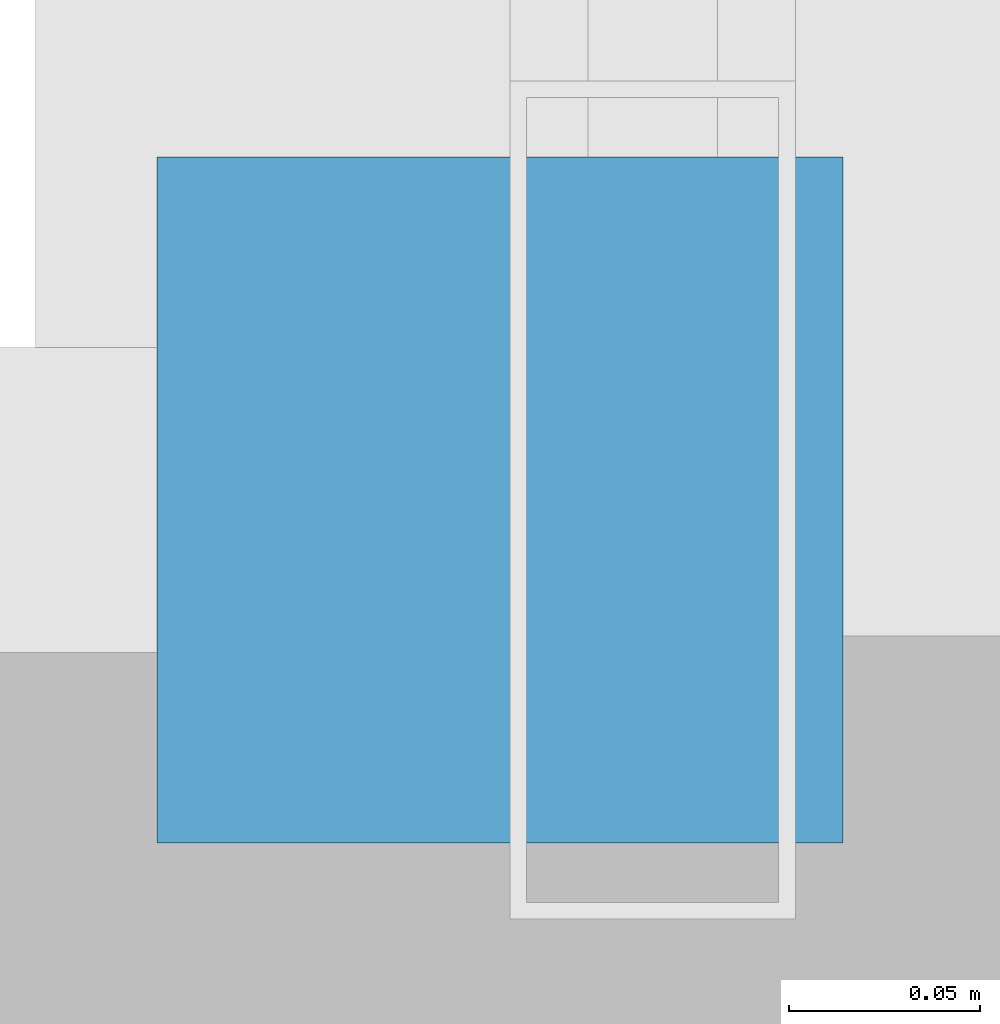
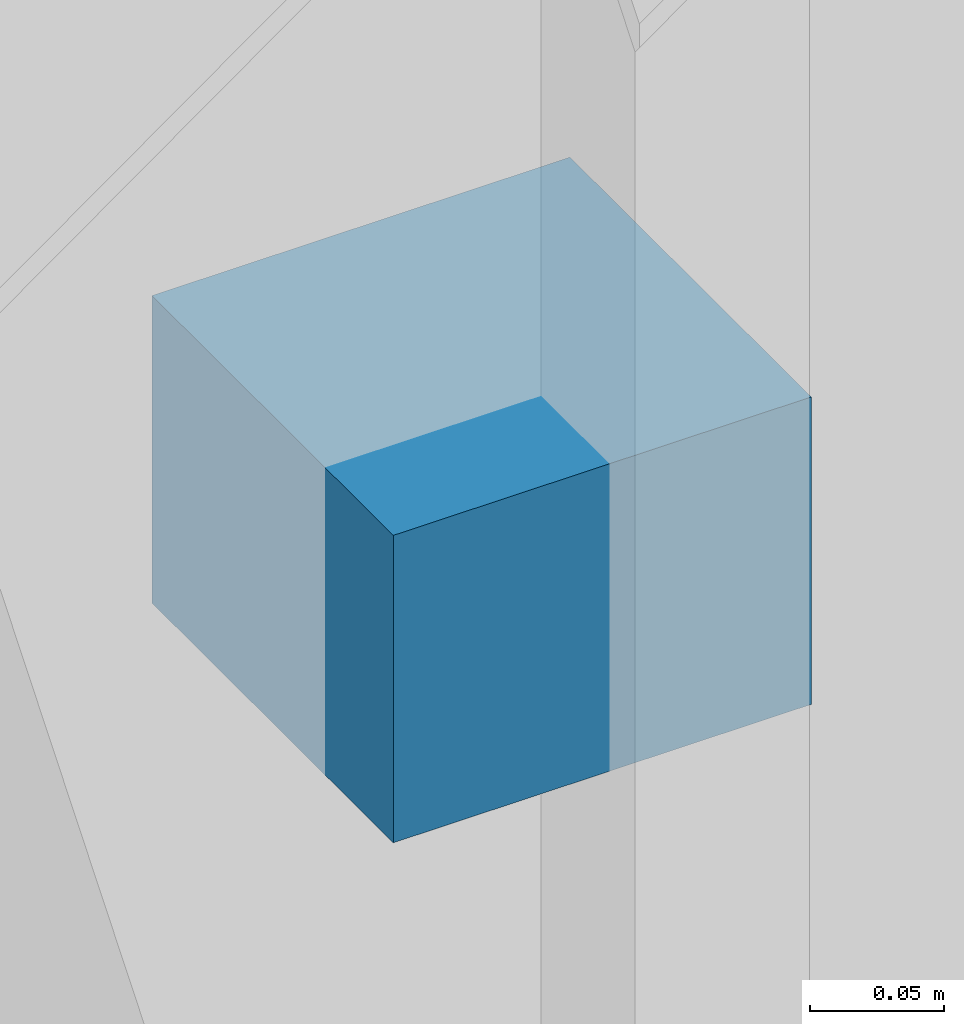
# One storey, part 82 of 96: 1 discrete accessory.
"""IFC4 building model written with IfcOpenShell, lengths in metres."""

from ifc_helpers import new_model, si_unit, direction, frame, origin, origin_2d, place, context, subcontext, project, spatial, rectangle, extrude, material, layer, layer_set, type_object, element, save


model = new_model("IFC4")

# Units and contexts
model_context = context("Model", 3, precision=1e-05, world=origin(), true_north=direction((0.0, 1.0)))
body_context = subcontext(model_context, "Body", "Model", "MODEL_VIEW")
ifc_project = project(units=[si_unit("LENGTHUNIT", "METRE"), si_unit("AREAUNIT", "SQUARE_METRE"), si_unit("VOLUMEUNIT", "CUBIC_METRE"), si_unit("PLANEANGLEUNIT", "RADIAN"), si_unit("MASSUNIT", "GRAM", prefix="KILO")], contexts=[model_context])

# Site, building, storey
site_placement = place(None, origin())
site = spatial("IfcSite", under=ifc_project, at=site_placement, CompositionType="ELEMENT")
building_placement = place(site_placement, origin())
building = spatial("IfcBuilding", under=site, at=building_placement, Name="Vaelkrest Opera House", CompositionType="ELEMENT")
storey_placement = place(building_placement, frame((0.0, 0.0, 5.39990234375)))
storey = spatial("IfcBuildingStorey", under=building, at=storey_placement, Name="L01", CompositionType="ELEMENT", Elevation=5.39990234375)

# Discrete accessory
ifc_material = material(Name="Steel A572 Gr50", Category="steel")
ifc_layer = layer(ifc_material, 0.139892578125)
ifc_layer_set = layer_set([ifc_layer], Name="Steel A572 Gr50")
discrete_accessory_type = type_object("IfcDiscreteAccessoryType", Name="BRK01", PredefinedType="BRACKET", material=ifc_layer_set)
discrete_accessory_placement = place(storey_placement, frame((33.56005859375, 25.685546875, 1.84423828125), z_axis=(0.0, 0.0, 1.0), x_axis=(-1.0, 0.0, 0.0)))
element("IfcDiscreteAccessory", 1, at=discrete_accessory_placement, inside=storey, type_object=discrete_accessory_type, Name="Shading fin bracket 19", PredefinedType="BRACKET", context=body_context, shape_type="SweptSolid", body=[
    extrude(rectangle(XDim=0.179931640625, YDim=0.179931640625, at=origin_2d()), origin(), (0.0, 0.0, 1.0), 0.139892578125),
])

save(model, "model.ifc")
